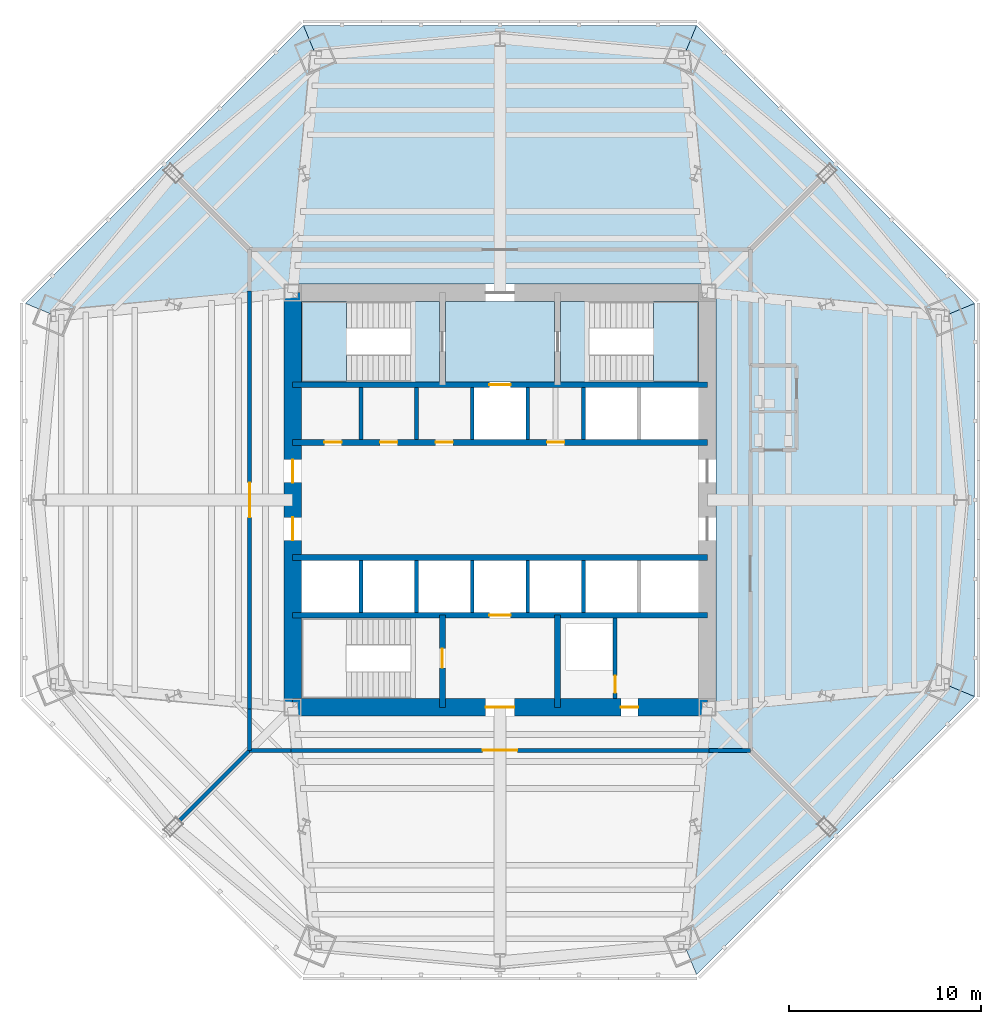
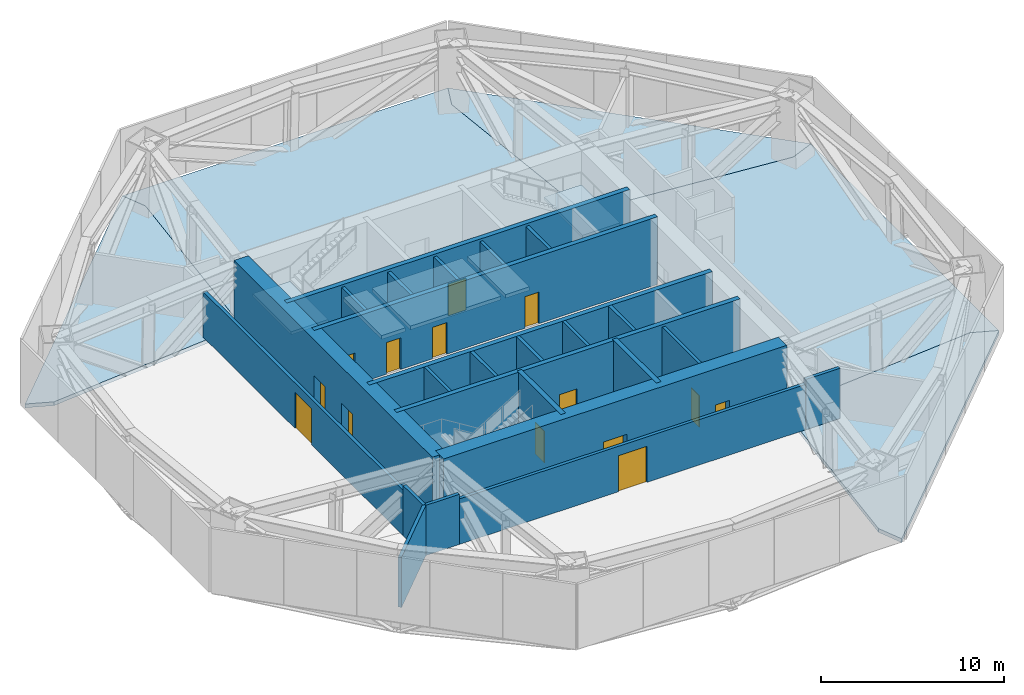
# One storey, part 5 of 10: 25 walls, 14 doors, 10 slabs, 14 openings, 2 elements without a shape of their own.
"""IFC4 building model written with IfcOpenShell, lengths in metres."""

from ifc_helpers import new_model, si_unit, direction, frame, frame_2d, origin, place, context, subcontext, project, spatial, polyline, rectangle, outline, extrude, material, layer, layer_set, type_object, element, fill, aggregate, save


model = new_model("IFC4")

# Units and contexts
model_context = context("Model", 3, precision=1e-05, world=origin(), true_north=direction((0.0, 1.0)))
body_context = subcontext(model_context, "Body", "Model", "MODEL_VIEW")
ifc_project = project(units=[si_unit("LENGTHUNIT", "METRE"), si_unit("AREAUNIT", "SQUARE_METRE"), si_unit("VOLUMEUNIT", "CUBIC_METRE"), si_unit("PLANEANGLEUNIT", "RADIAN"), si_unit("MASSUNIT", "GRAM", prefix="KILO")], contexts=[model_context])

# Site, building, storey
site_placement = place(None, origin())
site = spatial("IfcSite", under=ifc_project, at=site_placement, CompositionType="ELEMENT")
building_placement = place(site_placement, origin())
building = spatial("IfcBuilding", under=site, at=building_placement, Name="Mashrafa Tower", CompositionType="ELEMENT")
storey_placement = place(building_placement, frame((0.0, 0.0, 108.89990234375)))
storey = spatial("IfcBuildingStorey", under=building, at=storey_placement, Name="L24", CompositionType="ELEMENT", Elevation=108.89990234375)

# Slabs
ifc_material_1 = material(Name="Concrete C35/45", Category="concrete")
ifc_layer_1 = layer(ifc_material_1, 0.25)
ifc_layer_set_1 = layer_set([ifc_layer_1], Name="Floor slab 250")
slab_type_1 = type_object("IfcSlabType", Name="Floor slab 250", PredefinedType="FLOOR", material=ifc_layer_set_1)
slab_1_placement = place(storey_placement, frame((0.0, 0.0, -0.25)))
element("IfcSlab", 1, at=slab_1_placement, inside=storey, type_object=slab_type_1, Name="Floor slab L24 east bay", PredefinedType="FLOOR", context=body_context, shape_type="SweptSolid", body=[
    extrude(outline(polyline([(24.734130859375, -10.2451171875), (23.262939453125, -9.6357421875), (11.25, -10.758056640625), (11.25, 10.758056640625), (23.262939453125, 9.6357421875), (24.734130859375, 10.2451171875), (24.734130859375, -10.2451171875)])), origin(), (0.0, 0.0, 1.0), 0.25),
])
slab_2_placement = place(storey_placement, frame((0.0, 0.0, -0.25)))
element("IfcSlab", 2, at=slab_2_placement, inside=storey, type_object=slab_type_1, Name="Floor slab L24 north-east bay", PredefinedType="FLOOR", context=body_context, shape_type="SweptSolid", body=[
    extrude(outline(polyline([(10.2451171875, 24.734130859375), (24.734130859375, 10.2451171875), (24.734130859375, 10.2451171875), (23.262939453125, 9.6357421875), (11.25, 10.758056640625), (11.25, 11.25), (10.758056640625, 11.25), (9.6357421875, 23.262939453125), (10.2451171875, 24.734130859375), (10.2451171875, 24.734130859375)])), origin(), (0.0, 0.0, 1.0), 0.25),
])
slab_3_placement = place(storey_placement, frame((0.0, 0.0, -0.25)))
element("IfcSlab", 3, at=slab_3_placement, inside=storey, type_object=slab_type_1, Name="Floor slab L24 north bay", PredefinedType="FLOOR", context=body_context, shape_type="SweptSolid", body=[
    extrude(outline(polyline([(10.2451171875, 24.734130859375), (9.6357421875, 23.262939453125), (10.758056640625, 11.25), (-10.758056640625, 11.25), (-9.6357421875, 23.262939453125), (-10.2451171875, 24.734130859375), (10.2451171875, 24.734130859375)])), origin(), (0.0, 0.0, 1.0), 0.25),
])
slab_4_placement = place(storey_placement, frame((0.0, 0.0, -0.25)))
element("IfcSlab", 4, at=slab_4_placement, inside=storey, type_object=slab_type_1, Name="Floor slab L24 north-west bay", PredefinedType="FLOOR", context=body_context, shape_type="SweptSolid", body=[
    extrude(outline(polyline([(-24.734130859375, 10.2451171875), (-10.2451171875, 24.734130859375), (-10.2451171875, 24.734130859375), (-9.6357421875, 23.262939453125), (-10.758056640625, 11.25), (-11.25, 11.25), (-11.25, 10.758056640625), (-23.262939453125, 9.6357421875), (-24.734130859375, 10.2451171875), (-24.734130859375, 10.2451171875)])), origin(), (0.0, 0.0, 1.0), 0.25),
])
slab_5_placement = place(storey_placement, frame((0.0, 0.0, -0.25)))
element("IfcSlab", 5, at=slab_5_placement, inside=storey, type_object=slab_type_1, Name="Floor slab L24 south-east bay", PredefinedType="FLOOR", context=body_context, shape_type="SweptSolid", body=[
    extrude(outline(polyline([(10.2451171875, -24.734130859375), (9.6357421875, -23.262939453125), (10.758056640625, -11.25), (11.25, -11.25), (11.25, -10.758056640625), (23.262939453125, -9.6357421875), (24.734130859375, -10.2451171875), (24.734130859375, -10.2451171875), (10.2451171875, -24.734130859375), (10.2451171875, -24.734130859375)])), origin(), (0.0, 0.0, 1.0), 0.25),
])
slab_6_placement = place(storey_placement, frame((0.0, 0.0, -0.25)))
element("IfcSlab", 6, at=slab_6_placement, inside=storey, type_object=slab_type_1, Name="Core floor fire-fighting lobby north L24", PredefinedType="FLOOR", context=body_context, shape_type="SweptSolid", body=[
    extrude(outline(polyline([(-2.85009765625, 10.35009765625), (2.85009765625, 10.35009765625), (2.85009765625, 6.14990234375), (-2.85009765625, 6.14990234375), (-2.85009765625, 10.35009765625)])), origin(), (0.0, 0.0, 1.0), 0.25),
])

# Stair, slab
ifc_material_2 = material(Name="Exit stair 1400")
stair_type = type_object("IfcStairType", Name="Exit stair 1400", PredefinedType="HALF_TURN_STAIR", material=ifc_material_2)
stair_1_placement = place(storey_placement, origin())
stair_1 = element("IfcStair", 7, at=stair_1_placement, inside=storey, type_object=stair_type, Name="Stair S1 L24", PredefinedType="HALF_TURN_STAIR")
ifc_material_3 = material(Name="Concrete C32/40", Category="concrete")
ifc_layer_2 = layer(ifc_material_3, 0.199951171875)
ifc_layer_set_2 = layer_set([ifc_layer_2], Name="Stair landing 200")
slab_type_2 = type_object("IfcSlabType", Name="Stair landing 200", PredefinedType="LANDING", material=ifc_layer_set_2)
slab_7_placement = place(storey_placement, frame((0.0, 0.0, 2.050048828125)))
slab_7 = element("IfcSlab", 8, at=slab_7_placement, type_object=slab_type_2, Name="S1 landing 2", PredefinedType="LANDING", context=body_context, shape_type="SweptSolid", body=[
    extrude(outline(polyline([(-10.35009765625, 6.14990234375), (-8.0, 6.14990234375), (-8.0, 10.35009765625), (-10.35009765625, 10.35009765625), (-10.35009765625, 6.14990234375)])), origin(), (0.0, 0.0, 1.0), 0.199951171875),
])

stair_2_placement = place(storey_placement, origin())
stair_2 = element("IfcStair", 9, at=stair_2_placement, inside=storey, type_object=stair_type, Name="Stair S2 L24", PredefinedType="HALF_TURN_STAIR")
slab_8_placement = place(storey_placement, frame((0.0, 0.0, 2.050048828125)))
slab_8 = element("IfcSlab", 10, at=slab_8_placement, type_object=slab_type_2, Name="S2 landing 2", PredefinedType="LANDING", context=body_context, shape_type="SweptSolid", body=[
    extrude(outline(polyline([(8.0, 6.14990234375), (10.35009765625, 6.14990234375), (10.35009765625, 10.35009765625), (8.0, 10.35009765625), (8.0, 6.14990234375)])), origin(), (0.0, 0.0, 1.0), 0.199951171875),
])

# Slab
ifc_material_4 = material(Name="Concrete C32/40", Category="concrete")
ifc_layer_3 = layer(ifc_material_4, 0.25)
ifc_layer_set_3 = layer_set([ifc_layer_3], Name="Stair landing 250")
slab_type_3 = type_object("IfcSlabType", Name="Stair landing 250", PredefinedType="LANDING", material=ifc_layer_set_3)
slab_9_placement = place(storey_placement, frame((0.0, 0.0, -0.25)))
slab_9 = element("IfcSlab", 11, at=slab_9_placement, type_object=slab_type_3, Name="S1 landing 1", PredefinedType="LANDING", context=body_context, shape_type="SweptSolid", body=[
    extrude(outline(polyline([(-4.659912109375, 6.14990234375), (-3.14990234375, 6.14990234375), (-3.14990234375, 10.35009765625), (-4.659912109375, 10.35009765625), (-4.659912109375, 6.14990234375)])), origin(), (0.0, 0.0, 1.0), 0.25),
])

aggregate(stair_1, [slab_9, slab_7])

slab_10_placement = place(storey_placement, frame((0.0, 0.0, -0.25)))
slab_10 = element("IfcSlab", 12, at=slab_10_placement, type_object=slab_type_3, Name="S2 landing 1", PredefinedType="LANDING", context=body_context, shape_type="SweptSolid", body=[
    extrude(outline(polyline([(3.14990234375, 6.14990234375), (4.659912109375, 6.14990234375), (4.659912109375, 10.35009765625), (3.14990234375, 10.35009765625), (3.14990234375, 6.14990234375)])), origin(), (0.0, 0.0, 1.0), 0.25),
])

aggregate(stair_2, [slab_10, slab_8])

# Wall, opening, door
ifc_material_5 = material(Name="Concrete masonry unit", Category="masonry")
ifc_layer_4 = layer(ifc_material_5, 0.199951171875)
ifc_layer_set_4 = layer_set([ifc_layer_4], Name="Blockwork wall 200 2 hr")
wall_type_1 = type_object("IfcWallType", Name="Blockwork wall 200 2 hr", PredefinedType="PARTITIONING", material=ifc_layer_set_4)
wall_1_placement = place(storey_placement, frame((-13.050048828125, 10.895263671875, 0.0), z_axis=(0.0, 0.0, 1.0), x_axis=(0.0, -1.0, 0.0)))
wall_1 = element("IfcWall", 13, at=wall_1_placement, inside=storey, type_object=wall_type_1, Name="Blockwork wall L24-008", PredefinedType="PARTITIONING", context=body_context, shape_type="SweptSolid", body=[
    extrude(rectangle(XDim=21.79052734375, YDim=0.199951171875, at=frame_2d((10.895263671875, 0.0))), origin(), (0.0, 0.0, 1.0), 3.025146484375),
])
opening_1_placement = place(wall_1_placement, frame((9.995361328125, 0.0, 0.0)))
opening_1 = element("IfcOpeningElement", 14, at=opening_1_placement, cuts=wall_1, Name="Opening 24.004", PredefinedType="OPENING", context=body_context, shape_type="SweptSolid", body=[
    extrude(rectangle(XDim=1.800048828125, YDim=2.39990234375, at=frame_2d((0.89990234375, 1.199951171875))), frame((0.0, 0.10986328125, 0.0), z_axis=(0.0, -1.0, 0.0), x_axis=(1.0, 0.0, 0.0)), (0.0, 0.0, 1.0), 0.219970703125),
])
ifc_material_6 = material(Name="Steel door", Category="steel")
door_type_1 = type_object("IfcDoorType", Name="Door pair 1800 x 2400 90 min", OperationType="DOUBLE_DOOR_SINGLE_SWING", PredefinedType="DOOR", material=ifc_material_6)
door_1_placement = place(opening_1_placement, origin())
door_1 = element("IfcDoor", 15, at=door_1_placement, inside=storey, type_object=door_type_1, Name="Refuge Area L24 West door", OperationType="DOUBLE_DOOR_SINGLE_SWING", OverallHeight=2.39990234375, OverallWidth=1.800048828125, PredefinedType="DOOR", context=body_context, shape_type="SweptSolid", body=[
    extrude(rectangle(XDim=1.800048828125, YDim=2.39990234375, at=frame_2d((0.89990234375, 1.199951171875))), frame((0.0, 0.02490234375, 0.0), z_axis=(0.0, -1.0, 0.0), x_axis=(1.0, 0.0, 0.0)), (0.0, 0.0, 1.0), 0.050048828125),
])
fill(opening_1, door_1)

# Walls
for number, where, z_axis, x_axis, name in (
    (16, (-13.050048828125, -10.897216796875, 0.0), (0.0, 0.0, 1.0), (0.0, -1.0, 0.0), "Blockwork wall L24-009"),
    (17, (-13.050048828125, -13.050048828125, 0.0), (0.0, 0.0, 1.0), (1.0, 0.0, 0.0), "Blockwork wall L24-013"),
):
    element("IfcWall", number, at=place(storey_placement, frame(where, z_axis=z_axis, x_axis=x_axis)), inside=storey, type_object=wall_type_1, Name=name, PredefinedType="PARTITIONING", context=body_context, shape_type="SweptSolid", body=[
        extrude(rectangle(XDim=2.15283203125, YDim=0.199951171875, at=frame_2d((1.076416015625, 0.0))), origin(), (0.0, 0.0, 1.0), 3.342041015625),
    ])

# Wall, opening, door
wall_2_placement = place(storey_placement, frame((-10.895263671875, -13.050048828125, 0.0), z_axis=(0.0, 0.0, 1.0), x_axis=(1.0, 0.0, 0.0)))
wall_2 = element("IfcWall", 18, at=wall_2_placement, inside=storey, type_object=wall_type_1, Name="Blockwork wall L24-014", PredefinedType="PARTITIONING", context=body_context, shape_type="SweptSolid", body=[
    extrude(rectangle(XDim=21.79052734375, YDim=0.199951171875, at=frame_2d((10.895263671875, 0.0))), origin(), (0.0, 0.0, 1.0), 3.025146484375),
])
opening_2_placement = place(wall_2_placement, frame((9.995361328125, 0.0, 0.0)))
opening_2 = element("IfcOpeningElement", 19, at=opening_2_placement, cuts=wall_2, Name="Opening 24.006", PredefinedType="OPENING", context=body_context, shape_type="SweptSolid", body=[
    extrude(rectangle(XDim=1.800048828125, YDim=2.39990234375, at=frame_2d((0.89990234375, 1.199951171875))), frame((0.0, 0.10986328125, 0.0), z_axis=(0.0, -1.0, 0.0), x_axis=(1.0, 0.0, 0.0)), (0.0, 0.0, 1.0), 0.219970703125),
])
door_2_placement = place(opening_2_placement, frame((1.800048828125, 0.0, 0.0), z_axis=(0.0, 0.0, 1.0), x_axis=(-1.0, 0.0, 0.0)))
door_2 = element("IfcDoor", 20, at=door_2_placement, inside=storey, type_object=door_type_1, Name="Transfer Water Tank Room L24 door", OperationType="DOUBLE_DOOR_SINGLE_SWING", OverallHeight=2.39990234375, OverallWidth=1.800048828125, PredefinedType="DOOR", context=body_context, shape_type="SweptSolid", body=[
    extrude(rectangle(XDim=1.800048828125, YDim=2.39990234375, at=frame_2d((0.89990234375, 1.199951171875))), frame((0.0, 0.02490234375, 0.0), z_axis=(0.0, -1.0, 0.0), x_axis=(1.0, 0.0, 0.0)), (0.0, 0.0, 1.0), 0.050048828125),
])
fill(opening_2, door_2)

# Walls
wall_3_placement = place(storey_placement, frame((10.897216796875, -13.050048828125, 0.0), z_axis=(0.0, 0.0, 1.0), x_axis=(1.0, 0.0, 0.0)))
element("IfcWall", 21, at=wall_3_placement, inside=storey, type_object=wall_type_1, Name="Blockwork wall L24-015", PredefinedType="PARTITIONING", context=body_context, shape_type="SweptSolid", body=[
    extrude(rectangle(XDim=2.15283203125, YDim=0.199951171875, at=frame_2d((1.076416015625, 0.0))), origin(), (0.0, 0.0, 1.0), 3.342041015625),
])
wall_4_placement = place(storey_placement, frame((-16.69140625, -16.69140625, 0.0), z_axis=(0.0, 0.0, 1.0), x_axis=(0.707106781187, 0.707106781187, 0.0)))
element("IfcWall", 22, at=wall_4_placement, inside=storey, type_object=wall_type_1, Name="Blockwork wall L24-024", PredefinedType="PARTITIONING", context=body_context, shape_type="SweptSolid", body=[
    extrude(rectangle(XDim=5.149658203125, YDim=0.199951171875, at=frame_2d((2.57470703125, 0.0))), origin(), (0.0, 0.0, 1.0), 3.342041015625),
])

# Wall, opening, door
wall_5_placement = place(storey_placement, frame((6.0, -10.35009765625, 0.0), z_axis=(0.0, 0.0, 1.0), x_axis=(0.0, 1.0, 0.0)))
wall_5 = element("IfcWall", 23, at=wall_5_placement, inside=storey, type_object=wall_type_1, Name="Riser enclosure wall L24", PredefinedType="PARTITIONING", context=body_context, shape_type="SweptSolid", body=[
    extrude(rectangle(XDim=4.2001953125, YDim=0.199951171875, at=frame_2d((2.10009765625, 0.0))), origin(), (0.0, 0.0, 1.0), 4.335205078125),
])
opening_3_placement = place(wall_5_placement, frame((0.300048828125, 0.0, 0.0)))
opening_3 = element("IfcOpeningElement", 24, at=opening_3_placement, cuts=wall_5, Name="Opening 24.017", PredefinedType="OPENING", context=body_context, shape_type="SweptSolid", body=[
    extrude(rectangle(XDim=0.89990234375, YDim=2.10009765625, at=frame_2d((0.449951171875, 1.050048828125))), frame((0.0, 0.10986328125, 0.0), z_axis=(0.0, -1.0, 0.0), x_axis=(1.0, 0.0, 0.0)), (0.0, 0.0, 1.0), 0.219970703125),
])
ifc_material_7 = material(Name="Steel door", Category="steel")
door_type_2 = type_object("IfcDoorType", Name="Service door 900 x 2100 90 min", OperationType="USERDEFINED", PredefinedType="DOOR", material=ifc_material_7)
door_3_placement = place(opening_3_placement, origin())
door_3 = element("IfcDoor", 25, at=door_3_placement, inside=storey, type_object=door_type_2, Name="Riser door L24", OperationType="SINGLE_SWING_LEFT", OverallHeight=2.10009765625, OverallWidth=0.89990234375, PredefinedType="DOOR", context=body_context, shape_type="SweptSolid", body=[
    extrude(rectangle(XDim=0.89990234375, YDim=2.10009765625, at=frame_2d((0.449951171875, 1.050048828125))), frame((0.0, 0.02490234375, 0.0), z_axis=(0.0, -1.0, 0.0), x_axis=(1.0, 0.0, 0.0)), (0.0, 0.0, 1.0), 0.050048828125),
])
fill(opening_3, door_3)

# Wall, openings, doors
ifc_material_8 = material(Name="Concrete C60/75", Category="concrete")
ifc_layer_5 = layer(ifc_material_8, 0.300048828125)
ifc_layer_set_5 = layer_set([ifc_layer_5], Name="Core wall 300 C60/75")
wall_type_2 = type_object("IfcWallType", Name="Core wall 300 C60/75", PredefinedType="SOLIDWALL", material=ifc_layer_set_5)
wall_6_placement = place(storey_placement, frame((-10.800048828125, 3.0, 0.0), z_axis=(0.0, 0.0, 1.0), x_axis=(1.0, 0.0, 0.0)))
wall_6 = element("IfcWall", 26, at=wall_6_placement, inside=storey, type_object=wall_type_2, Name="Core wall CH-N L24", PredefinedType="SOLIDWALL", context=body_context, shape_type="SweptSolid", body=[
    extrude(rectangle(XDim=21.60009765625, YDim=0.300048828125, at=frame_2d((10.800048828125, 0.0))), origin(), (0.0, 0.0, 1.0), 4.5),
])
opening_4_placement = place(wall_6_placement, frame((1.64990234375, 0.0, 0.0)))
opening_4 = element("IfcOpeningElement", 27, at=opening_4_placement, cuts=wall_6, Name="Opening 24.018", PredefinedType="OPENING", context=body_context, shape_type="SweptSolid", body=[
    extrude(rectangle(XDim=0.89990234375, YDim=2.10009765625, at=frame_2d((0.449951171875, 1.050048828125))), frame((0.0, 0.159912109375, 0.0), z_axis=(0.0, -1.0, 0.0), x_axis=(1.0, 0.0, 0.0)), (0.0, 0.0, 1.0), 0.320068359375),
])
opening_5_placement = place(wall_6_placement, frame((4.550048828125, 0.0, 0.0)))
opening_5 = element("IfcOpeningElement", 28, at=opening_5_placement, cuts=wall_6, Name="Opening 24.019", PredefinedType="OPENING", context=body_context, shape_type="SweptSolid", body=[
    extrude(rectangle(XDim=0.89990234375, YDim=2.10009765625, at=frame_2d((0.449951171875, 1.050048828125))), frame((0.0, 0.159912109375, 0.0), z_axis=(0.0, -1.0, 0.0), x_axis=(1.0, 0.0, 0.0)), (0.0, 0.0, 1.0), 0.320068359375),
])
opening_6_placement = place(wall_6_placement, frame((7.449951171875, 0.0, 0.0)))
opening_6 = element("IfcOpeningElement", 29, at=opening_6_placement, cuts=wall_6, Name="Opening 24.020", PredefinedType="OPENING", context=body_context, shape_type="SweptSolid", body=[
    extrude(rectangle(XDim=0.89990234375, YDim=2.10009765625, at=frame_2d((0.449951171875, 1.050048828125))), frame((0.0, 0.159912109375, 0.0), z_axis=(0.0, -1.0, 0.0), x_axis=(1.0, 0.0, 0.0)), (0.0, 0.0, 1.0), 0.320068359375),
])
opening_7_placement = place(wall_6_placement, frame((13.25, 0.0, 0.0)))
opening_7 = element("IfcOpeningElement", 30, at=opening_7_placement, cuts=wall_6, Name="Opening 24.021", PredefinedType="OPENING", context=body_context, shape_type="SweptSolid", body=[
    extrude(rectangle(XDim=0.89990234375, YDim=2.10009765625, at=frame_2d((0.449951171875, 1.050048828125))), frame((0.0, 0.159912109375, 0.0), z_axis=(0.0, -1.0, 0.0), x_axis=(1.0, 0.0, 0.0)), (0.0, 0.0, 1.0), 0.320068359375),
])
ifc_material_9 = material(Name="Timber door", Category="wood")
door_type_3 = type_object("IfcDoorType", Name="Store door 900 x 2100", OperationType="USERDEFINED", PredefinedType="DOOR", material=ifc_material_9)
door_4_placement = place(opening_4_placement, origin())
door_4 = element("IfcDoor", 31, at=door_4_placement, inside=storey, type_object=door_type_3, Name="Plant Store L24-A1 door", OperationType="SINGLE_SWING_RIGHT", OverallHeight=2.10009765625, OverallWidth=0.89990234375, PredefinedType="DOOR", context=body_context, shape_type="SweptSolid", body=[
    extrude(rectangle(XDim=0.89990234375, YDim=2.10009765625, at=frame_2d((0.449951171875, 1.050048828125))), frame((0.0, 0.02490234375, 0.0), z_axis=(0.0, -1.0, 0.0), x_axis=(1.0, 0.0, 0.0)), (0.0, 0.0, 1.0), 0.050048828125),
])
fill(opening_4, door_4)
door_5_placement = place(opening_5_placement, origin())
door_5 = element("IfcDoor", 32, at=door_5_placement, inside=storey, type_object=door_type_3, Name="Plant Store L24-A2 door", OperationType="SINGLE_SWING_LEFT", OverallHeight=2.10009765625, OverallWidth=0.89990234375, PredefinedType="DOOR", context=body_context, shape_type="SweptSolid", body=[
    extrude(rectangle(XDim=0.89990234375, YDim=2.10009765625, at=frame_2d((0.449951171875, 1.050048828125))), frame((0.0, 0.02490234375, 0.0), z_axis=(0.0, -1.0, 0.0), x_axis=(1.0, 0.0, 0.0)), (0.0, 0.0, 1.0), 0.050048828125),
])
fill(opening_5, door_5)
door_6_placement = place(opening_6_placement, origin())
door_6 = element("IfcDoor", 33, at=door_6_placement, inside=storey, type_object=door_type_3, Name="Plant Store L24-A3 door", OperationType="SINGLE_SWING_LEFT", OverallHeight=2.10009765625, OverallWidth=0.89990234375, PredefinedType="DOOR", context=body_context, shape_type="SweptSolid", body=[
    extrude(rectangle(XDim=0.89990234375, YDim=2.10009765625, at=frame_2d((0.449951171875, 1.050048828125))), frame((0.0, 0.02490234375, 0.0), z_axis=(0.0, -1.0, 0.0), x_axis=(1.0, 0.0, 0.0)), (0.0, 0.0, 1.0), 0.050048828125),
])
fill(opening_6, door_6)
door_7_placement = place(opening_7_placement, origin())
door_7 = element("IfcDoor", 34, at=door_7_placement, inside=storey, type_object=door_type_3, Name="Plant Store L24-A4 door", OperationType="SINGLE_SWING_LEFT", OverallHeight=2.10009765625, OverallWidth=0.89990234375, PredefinedType="DOOR", context=body_context, shape_type="SweptSolid", body=[
    extrude(rectangle(XDim=0.89990234375, YDim=2.10009765625, at=frame_2d((0.449951171875, 1.050048828125))), frame((0.0, 0.02490234375, 0.0), z_axis=(0.0, -1.0, 0.0), x_axis=(1.0, 0.0, 0.0)), (0.0, 0.0, 1.0), 0.050048828125),
])
fill(opening_7, door_7)

# Wall, opening, door
wall_7_placement = place(storey_placement, frame((-10.800048828125, 6.0, 0.0), z_axis=(0.0, 0.0, 1.0), x_axis=(1.0, 0.0, 0.0)))
wall_7 = element("IfcWall", 35, at=wall_7_placement, inside=storey, type_object=wall_type_2, Name="Core wall CB-N L24", PredefinedType="SOLIDWALL", context=body_context, shape_type="SweptSolid", body=[
    extrude(rectangle(XDim=21.60009765625, YDim=0.300048828125, at=frame_2d((10.800048828125, 0.0))), origin(), (0.0, 0.0, 1.0), 4.5),
])
opening_8_placement = place(wall_7_placement, frame((10.25, 0.0, 0.0)))
opening_8 = element("IfcOpeningElement", 36, at=opening_8_placement, cuts=wall_7, Name="Opening 24.F1", PredefinedType="OPENING", context=body_context, shape_type="SweptSolid", body=[
    extrude(rectangle(XDim=1.10009765625, YDim=2.10009765625, at=frame_2d((0.550048828125, 1.050048828125))), frame((0.0, 0.159912109375, 0.0), z_axis=(0.0, -1.0, 0.0), x_axis=(1.0, 0.0, 0.0)), (0.0, 0.0, 1.0), 0.320068359375),
])
ifc_material_10 = material(Name="Steel door", Category="steel")
door_type_4 = type_object("IfcDoorType", Name="Lift landing door 1100 x 2100 90 min", OperationType="DOUBLE_DOOR_SLIDING", PredefinedType="DOOR", material=ifc_material_10)
door_8_placement = place(opening_8_placement, origin())
door_8 = element("IfcDoor", 37, at=door_8_placement, inside=storey, type_object=door_type_4, Name="Lift landing door F1 L24", OperationType="DOUBLE_DOOR_SLIDING", OverallHeight=2.10009765625, OverallWidth=1.10009765625, PredefinedType="DOOR", context=body_context, shape_type="SweptSolid", body=[
    extrude(rectangle(XDim=1.10009765625, YDim=2.10009765625, at=frame_2d((0.550048828125, 1.050048828125))), frame((0.0, 0.02490234375, 0.0), z_axis=(0.0, -1.0, 0.0), x_axis=(1.0, 0.0, 0.0)), (0.0, 0.0, 1.0), 0.050048828125),
])
fill(opening_8, door_8)

# Wall
wall_8_placement = place(storey_placement, frame((-10.800048828125, -3.0, 0.0), z_axis=(0.0, 0.0, 1.0), x_axis=(1.0, 0.0, 0.0)))
element("IfcWall", 38, at=wall_8_placement, inside=storey, type_object=wall_type_2, Name="Core wall CH-S L24", PredefinedType="SOLIDWALL", context=body_context, shape_type="SweptSolid", body=[
    extrude(rectangle(XDim=21.60009765625, YDim=0.300048828125, at=frame_2d((10.800048828125, 0.0))), origin(), (0.0, 0.0, 1.0), 4.5),
])

# Wall, opening, door
wall_9_placement = place(storey_placement, frame((-10.800048828125, -6.0, 0.0), z_axis=(0.0, 0.0, 1.0), x_axis=(1.0, 0.0, 0.0)))
wall_9 = element("IfcWall", 39, at=wall_9_placement, inside=storey, type_object=wall_type_2, Name="Core wall CB-S L24", PredefinedType="SOLIDWALL", context=body_context, shape_type="SweptSolid", body=[
    extrude(rectangle(XDim=21.60009765625, YDim=0.300048828125, at=frame_2d((10.800048828125, 0.0))), origin(), (0.0, 0.0, 1.0), 4.5),
])
opening_9_placement = place(wall_9_placement, frame((10.25, 0.0, 0.0)))
opening_9 = element("IfcOpeningElement", 40, at=opening_9_placement, cuts=wall_9, Name="Opening 24.F2", PredefinedType="OPENING", context=body_context, shape_type="SweptSolid", body=[
    extrude(rectangle(XDim=1.10009765625, YDim=2.10009765625, at=frame_2d((0.550048828125, 1.050048828125))), frame((0.0, 0.159912109375, 0.0), z_axis=(0.0, -1.0, 0.0), x_axis=(1.0, 0.0, 0.0)), (0.0, 0.0, 1.0), 0.320068359375),
])
door_9_placement = place(opening_9_placement, origin())
door_9 = element("IfcDoor", 41, at=door_9_placement, inside=storey, type_object=door_type_4, Name="Lift landing door F2 L24", OperationType="DOUBLE_DOOR_SLIDING", OverallHeight=2.10009765625, OverallWidth=1.10009765625, PredefinedType="DOOR", context=body_context, shape_type="SweptSolid", body=[
    extrude(rectangle(XDim=1.10009765625, YDim=2.10009765625, at=frame_2d((0.550048828125, 1.050048828125))), frame((0.0, 0.02490234375, 0.0), z_axis=(0.0, -1.0, 0.0), x_axis=(1.0, 0.0, 0.0)), (0.0, 0.0, 1.0), 0.050048828125),
])
fill(opening_9, door_9)

wall_10_placement = place(storey_placement, frame((-3.0, -6.0, 0.0), z_axis=(0.0, 0.0, 1.0), x_axis=(0.0, -1.0, 0.0)))
wall_10 = element("IfcWall", 42, at=wall_10_placement, inside=storey, type_object=wall_type_2, Name="Core wall CX-SW L24", PredefinedType="SOLIDWALL", context=body_context, shape_type="SweptSolid", body=[
    extrude(rectangle(XDim=4.800048828125, YDim=0.300048828125, at=frame_2d((2.39990234375, 0.0))), origin(), (0.0, 0.0, 1.0), 4.5),
])
opening_10_placement = place(wall_10_placement, frame((1.75, 0.0, 0.0)))
opening_10 = element("IfcOpeningElement", 43, at=opening_10_placement, cuts=wall_10, Name="Opening 24.015", PredefinedType="OPENING", context=body_context, shape_type="SweptSolid", body=[
    extrude(rectangle(XDim=1.0, YDim=2.10009765625, at=frame_2d((0.5, 1.050048828125))), frame((0.0, 0.159912109375, 0.0), z_axis=(0.0, -1.0, 0.0), x_axis=(1.0, 0.0, 0.0)), (0.0, 0.0, 1.0), 0.320068359375),
])
ifc_material_11 = material(Name="Steel door", Category="steel")
door_type_5 = type_object("IfcDoorType", Name="Stair door 1000 x 2100 90 min", OperationType="USERDEFINED", PredefinedType="DOOR", material=ifc_material_11)
door_10_placement = place(opening_10_placement, frame((1.0, 0.0, 0.0), z_axis=(0.0, 0.0, 1.0), x_axis=(-1.0, 0.0, 0.0)))
door_10 = element("IfcDoor", 44, at=door_10_placement, inside=storey, type_object=door_type_5, Name="Stair S3 door L24", OperationType="SINGLE_SWING_RIGHT", OverallHeight=2.10009765625, OverallWidth=1.0, PredefinedType="DOOR", context=body_context, shape_type="SweptSolid", body=[
    extrude(rectangle(XDim=1.0, YDim=2.10009765625, at=frame_2d((0.5, 1.050048828125))), frame((0.0, 0.02490234375, 0.0), z_axis=(0.0, -1.0, 0.0), x_axis=(1.0, 0.0, 0.0)), (0.0, 0.0, 1.0), 0.050048828125),
])
fill(opening_10, door_10)

# Wall
wall_11_placement = place(storey_placement, frame((3.0, -6.0, 0.0), z_axis=(0.0, 0.0, 1.0), x_axis=(0.0, -1.0, 0.0)))
element("IfcWall", 45, at=wall_11_placement, inside=storey, type_object=wall_type_2, Name="Core wall CX-SE L24", PredefinedType="SOLIDWALL", context=body_context, shape_type="SweptSolid", body=[
    extrude(rectangle(XDim=4.800048828125, YDim=0.300048828125, at=frame_2d((2.39990234375, 0.0))), origin(), (0.0, 0.0, 1.0), 4.5),
])

# Wall, openings, doors
ifc_material_12 = material(Name="Concrete C60/75", Category="concrete")
ifc_layer_6 = layer(ifc_material_12, 0.89990234375)
ifc_layer_set_6 = layer_set([ifc_layer_6], Name="Core wall 900 C60/75")
wall_type_3 = type_object("IfcWallType", Name="Core wall 900 C60/75", PredefinedType="SOLIDWALL", material=ifc_layer_set_6)
wall_12_placement = place(storey_placement, frame((-10.800048828125, -10.800048828125, 0.0), z_axis=(0.0, 0.0, 1.0), x_axis=(1.0, 0.0, 0.0)))
wall_12 = element("IfcWall", 46, at=wall_12_placement, inside=storey, type_object=wall_type_3, Name="Core wall CW-S L24", PredefinedType="SOLIDWALL", context=body_context, shape_type="SweptSolid", body=[
    extrude(rectangle(XDim=21.60009765625, YDim=0.89990234375, at=frame_2d((10.800048828125, 0.0))), origin(), (0.0, 0.0, 1.0), 4.5),
])
opening_11_placement = place(wall_12_placement, frame((10.050048828125, 0.0, 0.0)))
opening_11 = element("IfcOpeningElement", 47, at=opening_11_placement, cuts=wall_12, Name="Opening 24.012", PredefinedType="OPENING", context=body_context, shape_type="SweptSolid", body=[
    extrude(rectangle(XDim=1.5, YDim=2.10009765625, at=frame_2d((0.75, 1.050048828125))), frame((0.0, 0.4599609375, 0.0), z_axis=(0.0, -1.0, 0.0), x_axis=(1.0, 0.0, 0.0)), (0.0, 0.0, 1.0), 0.919921875),
])
opening_12_placement = place(wall_12_placement, frame((17.10009765625, 0.0, 0.0)))
opening_12 = element("IfcOpeningElement", 48, at=opening_12_placement, cuts=wall_12, Name="Opening 24.016", PredefinedType="OPENING", context=body_context, shape_type="SweptSolid", body=[
    extrude(rectangle(XDim=0.89990234375, YDim=2.10009765625, at=frame_2d((0.449951171875, 1.050048828125))), frame((0.0, 0.4599609375, 0.0), z_axis=(0.0, -1.0, 0.0), x_axis=(1.0, 0.0, 0.0)), (0.0, 0.0, 1.0), 0.919921875),
])
ifc_material_13 = material(Name="Steel door", Category="steel")
door_type_6 = type_object("IfcDoorType", Name="Lobby door pair 1500 x 2100 90 min", OperationType="DOUBLE_DOOR_SINGLE_SWING", PredefinedType="DOOR", material=ifc_material_13)
door_11_placement = place(opening_11_placement, origin())
door_11 = element("IfcDoor", 49, at=door_11_placement, inside=storey, type_object=door_type_6, Name="Fire-fighting lobby F2 door L24", OperationType="DOUBLE_DOOR_SINGLE_SWING", OverallHeight=2.10009765625, OverallWidth=1.5, PredefinedType="DOOR", context=body_context, shape_type="SweptSolid", body=[
    extrude(rectangle(XDim=1.5, YDim=2.10009765625, at=frame_2d((0.75, 1.050048828125))), frame((0.0, 0.02490234375, 0.0), z_axis=(0.0, -1.0, 0.0), x_axis=(1.0, 0.0, 0.0)), (0.0, 0.0, 1.0), 0.050048828125),
])
fill(opening_11, door_11)
door_12_placement = place(opening_12_placement, origin())
door_12 = element("IfcDoor", 50, at=door_12_placement, inside=storey, type_object=door_type_2, Name="Plant Store L24 door", OperationType="SINGLE_SWING_LEFT", OverallHeight=2.10009765625, OverallWidth=0.89990234375, PredefinedType="DOOR", context=body_context, shape_type="SweptSolid", body=[
    extrude(rectangle(XDim=0.89990234375, YDim=2.10009765625, at=frame_2d((0.449951171875, 1.050048828125))), frame((0.0, 0.02490234375, 0.0), z_axis=(0.0, -1.0, 0.0), x_axis=(1.0, 0.0, 0.0)), (0.0, 0.0, 1.0), 0.050048828125),
])
fill(opening_12, door_12)

wall_13_placement = place(storey_placement, frame((-10.800048828125, 10.800048828125, 0.0), z_axis=(0.0, 0.0, 1.0), x_axis=(0.0, -1.0, 0.0)))
wall_13 = element("IfcWall", 51, at=wall_13_placement, inside=storey, type_object=wall_type_3, Name="Core wall CW-W L24", PredefinedType="SOLIDWALL", context=body_context, shape_type="SweptSolid", body=[
    extrude(rectangle(XDim=21.60009765625, YDim=0.89990234375, at=frame_2d((10.800048828125, 0.0))), origin(), (0.0, 0.0, 1.0), 4.5),
])
opening_13_placement = place(wall_13_placement, frame((8.699951171875, 0.0, 0.0)))
opening_13 = element("IfcOpeningElement", 52, at=opening_13_placement, cuts=wall_13, Name="Opening 24.008", PredefinedType="OPENING", context=body_context, shape_type="SweptSolid", body=[
    extrude(rectangle(XDim=1.199951171875, YDim=2.10009765625, at=frame_2d((0.60009765625, 1.050048828125))), frame((0.0, 0.4599609375, 0.0), z_axis=(0.0, -1.0, 0.0), x_axis=(1.0, 0.0, 0.0)), (0.0, 0.0, 1.0), 0.919921875),
])
opening_14_placement = place(wall_13_placement, frame((11.699951171875, 0.0, 0.0)))
opening_14 = element("IfcOpeningElement", 53, at=opening_14_placement, cuts=wall_13, Name="Opening 24.010", PredefinedType="OPENING", context=body_context, shape_type="SweptSolid", body=[
    extrude(rectangle(XDim=1.199951171875, YDim=2.10009765625, at=frame_2d((0.60009765625, 1.050048828125))), frame((0.0, 0.4599609375, 0.0), z_axis=(0.0, -1.0, 0.0), x_axis=(1.0, 0.0, 0.0)), (0.0, 0.0, 1.0), 0.919921875),
])
ifc_material_14 = material(Name="Steel door", Category="steel")
door_type_7 = type_object("IfcDoorType", Name="Lift hall door 1200 x 2100 90 min", OperationType="USERDEFINED", PredefinedType="DOOR", material=ifc_material_14)
door_13_placement = place(opening_13_placement, frame((1.199951171875, 0.0, 0.0), z_axis=(0.0, 0.0, 1.0), x_axis=(-1.0, 0.0, 0.0)))
door_13 = element("IfcDoor", 54, at=door_13_placement, inside=storey, type_object=door_type_7, Name="Lift hall door west L24", OperationType="SINGLE_SWING_RIGHT", OverallHeight=2.10009765625, OverallWidth=1.199951171875, PredefinedType="DOOR", context=body_context, shape_type="SweptSolid", body=[
    extrude(rectangle(XDim=1.199951171875, YDim=2.10009765625, at=frame_2d((0.60009765625, 1.050048828125))), frame((0.0, 0.02490234375, 0.0), z_axis=(0.0, -1.0, 0.0), x_axis=(1.0, 0.0, 0.0)), (0.0, 0.0, 1.0), 0.050048828125),
])
fill(opening_13, door_13)
door_14_placement = place(opening_14_placement, frame((1.199951171875, 0.0, 0.0), z_axis=(0.0, 0.0, 1.0), x_axis=(-1.0, 0.0, 0.0)))
door_14 = element("IfcDoor", 55, at=door_14_placement, inside=storey, type_object=door_type_7, Name="Lift hall door west L24", OperationType="SINGLE_SWING_LEFT", OverallHeight=2.10009765625, OverallWidth=1.199951171875, PredefinedType="DOOR", context=body_context, shape_type="SweptSolid", body=[
    extrude(rectangle(XDim=1.199951171875, YDim=2.10009765625, at=frame_2d((0.60009765625, 1.050048828125))), frame((0.0, 0.02490234375, 0.0), z_axis=(0.0, -1.0, 0.0), x_axis=(1.0, 0.0, 0.0)), (0.0, 0.0, 1.0), 0.050048828125),
])
fill(opening_14, door_14)

# Walls
ifc_material_15 = material(Name="Gypsum shaft wall on steel studs", Category="steel")
ifc_layer_7 = layer(ifc_material_15, 0.199951171875)
ifc_layer_set_7 = layer_set([ifc_layer_7], Name="Shaft divider wall 200 2 hr")
wall_type_4 = type_object("IfcWallType", Name="Shaft divider wall 200 2 hr", PredefinedType="PARTITIONING", material=ifc_layer_set_7)
for number, where, z_axis, x_axis, name in (
    (56, (-7.25, 3.14990234375, 0.0), (0.0, 0.0, 1.0), (0.0, 1.0, 0.0), "Shaft divider wall N1 L24"),
    (57, (-4.35009765625, 3.14990234375, 0.0), (0.0, 0.0, 1.0), (0.0, 1.0, 0.0), "Shaft divider wall N2 L24"),
    (58, (-1.449951171875, 3.14990234375, 0.0), (0.0, 0.0, 1.0), (0.0, 1.0, 0.0), "Shaft divider wall N3 L24"),
    (59, (1.449951171875, 3.14990234375, 0.0), (0.0, 0.0, 1.0), (0.0, 1.0, 0.0), "Shaft divider wall N4 L24"),
    (60, (4.35009765625, 3.14990234375, 0.0), (0.0, 0.0, 1.0), (0.0, 1.0, 0.0), "Shaft divider wall N5 L24"),
):
    element("IfcWall", number, at=place(storey_placement, frame(where, z_axis=z_axis, x_axis=x_axis)), inside=storey, type_object=wall_type_4, Name=name, PredefinedType="PARTITIONING", context=body_context, shape_type="SweptSolid", body=[
        extrude(rectangle(XDim=2.7001953125, YDim=0.199951171875, at=frame_2d((1.35009765625, 0.0))), origin(), (0.0, 0.0, 1.0), 4.335205078125),
    ])
for number, where, z_axis, x_axis, name in (
    (61, (-7.25, -5.85009765625, 0.0), (0.0, 0.0, 1.0), (0.0, 1.0, 0.0), "Shaft divider wall S1 L24"),
    (62, (-4.35009765625, -5.85009765625, 0.0), (0.0, 0.0, 1.0), (0.0, 1.0, 0.0), "Shaft divider wall S2 L24"),
    (63, (-1.449951171875, -5.85009765625, 0.0), (0.0, 0.0, 1.0), (0.0, 1.0, 0.0), "Shaft divider wall S3 L24"),
    (64, (1.449951171875, -5.85009765625, 0.0), (0.0, 0.0, 1.0), (0.0, 1.0, 0.0), "Shaft divider wall S4 L24"),
    (65, (4.35009765625, -5.85009765625, 0.0), (0.0, 0.0, 1.0), (0.0, 1.0, 0.0), "Shaft divider wall S5 L24"),
):
    element("IfcWall", number, at=place(storey_placement, frame(where, z_axis=z_axis, x_axis=x_axis)), inside=storey, type_object=wall_type_4, Name=name, PredefinedType="PARTITIONING", context=body_context, shape_type="SweptSolid", body=[
        extrude(rectangle(XDim=2.7001953125, YDim=0.199951171875, at=frame_2d((1.35009765625, 0.0))), origin(), (0.0, 0.0, 1.0), 4.5),
    ])

save(model, "model.ifc")
